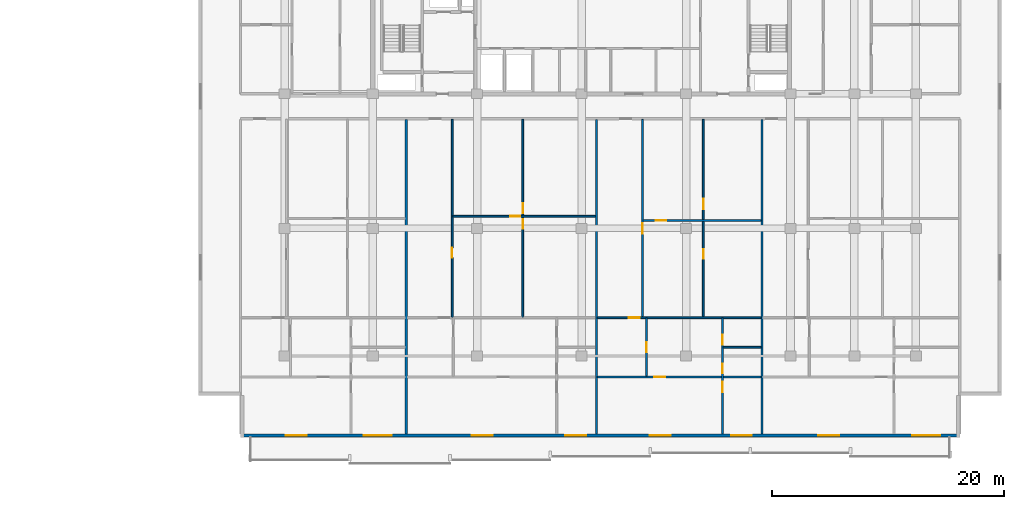
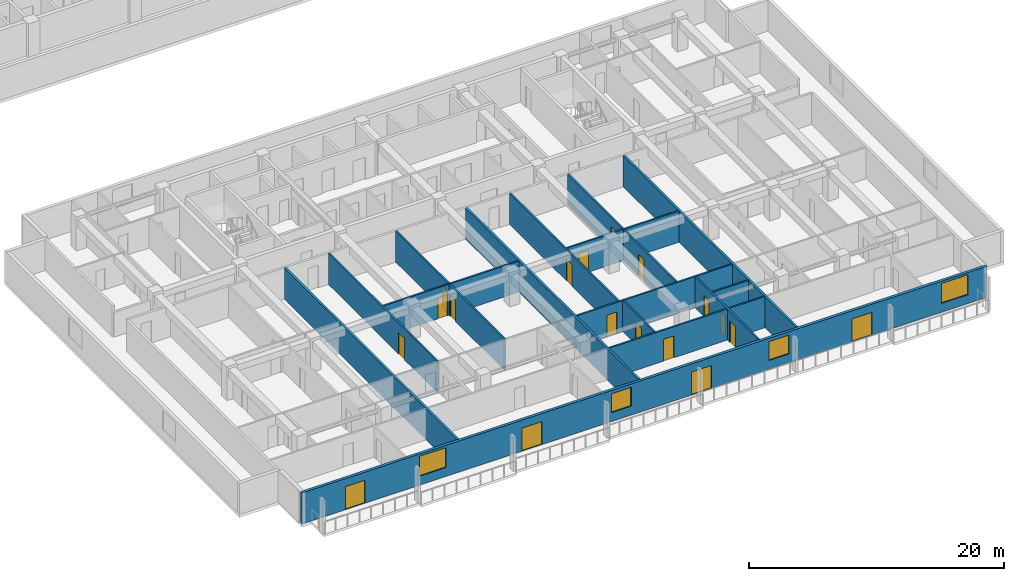
# One storey, part 5 of 23: 18 doors, 15 walls, 4 windows, 22 openings.
"""IFC4 building model written with IfcOpenShell, lengths in metres."""

import ifcopenshell
import ifcopenshell.guid

model = None  # the IFC model being written
_history = None  # IfcOwnerHistory: only IFC2X3 demands one
_inside = {}  # id of a spatial element -> (the spatial element, [elements in it])
_under = {}  # id of a project, library or spatial element -> (it, [spatial elements below it])
_declared = {}  # id of a project -> (the project, [libraries it declares])
_typed = {}  # id of a type object -> (the type object, [elements of that type])
_made_of = {}  # id of a material, layer set ... -> (it, [elements and type objects made of it])


def new_model(schema):
    """Start an empty IFC model of exactly this schema.

    Asked for "IFC4X3", IfcOpenShell would pick the latest addendum, in which some entities
    have other attributes; the version numbers below select the first issue.
    IFC2X3 requires an IfcOwnerHistory on every rooted entity: one is made here for all.
    """
    global model, _history
    if schema == "IFC4X3":
        model = ifcopenshell.file(schema_version=(4, 3, 0, 0))
    else:
        model = ifcopenshell.file(schema=schema)
    _inside.clear()
    _under.clear()
    _declared.clear()
    _typed.clear()
    _made_of.clear()
    _history = None
    if model.schema == "IFC2X3":
        org = make("IfcOrganization", Name="unknown")
        user = make(
            "IfcPersonAndOrganization",
            ThePerson=make("IfcPerson", FamilyName="unknown"),
            TheOrganization=org,
        )
        app = make(
            "IfcApplication",
            ApplicationDeveloper=org,
            Version="unknown",
            ApplicationFullName="unknown",
            ApplicationIdentifier="unknown",
        )
        _history = make(
            "IfcOwnerHistory",
            OwningUser=user,
            OwningApplication=app,
            ChangeAction="ADDED",
            CreationDate=0,
        )
    return model


def make(cls, **values):
    """One entity of the class cls with the attributes given. An attribute that is None is left unset."""
    return model.create_entity(
        cls, **{name: value for name, value in values.items() if value is not None}
    )


def rooted(cls, **values):
    """An entity with a GlobalId (a new one), such as an element, a storey or a relation."""
    return make(cls, GlobalId=ifcopenshell.guid.new(), OwnerHistory=_history, **values)


def si_unit(unit_type, name, prefix=None):
    """IfcSIUnit, for example si_unit("LENGTHUNIT", "METRE", prefix="MILLI")."""
    return make("IfcSIUnit", UnitType=unit_type, Prefix=prefix, Name=name)


def assignment(units):
    """IfcUnitAssignment: the units of a project."""
    return None if units is None else make("IfcUnitAssignment", Units=units)


def point(xyz):
    """IfcCartesianPoint."""
    return None if xyz is None else make("IfcCartesianPoint", Coordinates=xyz)


def direction(xyz):
    """IfcDirection."""
    return None if xyz is None else make("IfcDirection", DirectionRatios=xyz)


def frame(location, z_axis=None, x_axis=None):
    """IfcAxis2Placement3D, a coordinate frame: its origin and axes. An axis left out is left unset."""
    return make(
        "IfcAxis2Placement3D",
        Location=point(location),
        Axis=direction(z_axis),
        RefDirection=direction(x_axis),
    )


def frame_2d(location, x_axis=None):
    """IfcAxis2Placement2D, a coordinate frame in the plane: its origin and x axis."""
    return make(
        "IfcAxis2Placement2D", Location=point(location), RefDirection=direction(x_axis)
    )


def origin():
    """The frame at (0, 0, 0) with its axes left unset."""
    return frame((0.0, 0.0, 0.0))


def place(relative_to, where):
    """IfcLocalPlacement: puts the frame where relative to a parent placement (None: the world)."""
    return make(
        "IfcLocalPlacement", PlacementRelTo=relative_to, RelativePlacement=where
    )


def context(
    kind, dimensions, precision=None, world=None, true_north=None, identifier=None
):
    """IfcGeometricRepresentationContext, for example the 3D "Model" context."""
    return make(
        "IfcGeometricRepresentationContext",
        ContextIdentifier=identifier,
        ContextType=kind,
        CoordinateSpaceDimension=dimensions,
        Precision=precision,
        WorldCoordinateSystem=world,
        TrueNorth=true_north,
    )


def subcontext(parent, identifier, kind, view, scale=None):
    """IfcGeometricRepresentationSubContext, for example "Body" below "Model"."""
    return make(
        "IfcGeometricRepresentationSubContext",
        ContextIdentifier=identifier,
        ContextType=kind,
        ParentContext=parent,
        TargetScale=scale,
        TargetView=view,
    )


def project(units=None, contexts=None):
    """IfcProject with its units and contexts."""
    return rooted(
        "IfcProject",
        Name="project",
        RepresentationContexts=contexts,
        UnitsInContext=assignment(units),
    )


def spatial(cls, under=None, at=None, **own):
    """A site, building, storey or space (cls), placed at a placement, below another one or the project."""
    s = rooted(cls, ObjectPlacement=at, **own)
    if under is not None:
        _under.setdefault(under.id(), (under, []))[1].append(s)
    return s


def profile(cls, at=None, kind="AREA", **sizes):
    """A parametric profile (cls). Its sizes go by their IFC names, for example OverallWidth=200.0."""
    return make(cls, ProfileType=kind, Position=at, **sizes)


def rectangle(**sizes):
    """IfcRectangleProfileDef."""
    return profile("IfcRectangleProfileDef", **sizes)


def extrude(swept, where, along, depth):
    """IfcExtrudedAreaSolid: the profile swept, set in the frame where, extruded along a direction by depth."""
    return make(
        "IfcExtrudedAreaSolid",
        SweptArea=swept,
        Position=where,
        ExtrudedDirection=direction(along),
        Depth=depth,
    )


def shape(context_of_items, identifier, shape_type, items):
    """IfcShapeRepresentation: the items that make up one representation, for example the "Body"."""
    return make(
        "IfcShapeRepresentation",
        ContextOfItems=context_of_items,
        RepresentationIdentifier=identifier,
        RepresentationType=shape_type,
        Items=items,
    )


def material(Name=None, Category=None):
    """IfcMaterial."""
    return make("IfcMaterial", Name=Name, Category=Category)


def layer(
    of_material, thickness, ventilated=None, Name=None, Category=None, Priority=None
):
    """IfcMaterialLayer: one layer of a wall or slab, of a material (None: an air gap)."""
    return make(
        "IfcMaterialLayer",
        Material=of_material,
        LayerThickness=thickness,
        IsVentilated=ventilated,
        Name=Name,
        Category=Category,
        Priority=Priority,
    )


def layer_set(layers, Name=None):
    """IfcMaterialLayerSet."""
    return make("IfcMaterialLayerSet", MaterialLayers=layers, LayerSetName=Name)


def made_of(thing, what):
    """Note that an element or type object is made of a material, layer set ...; save() writes the relation."""
    if what is not None:
        _made_of.setdefault(what.id(), (what, []))[1].append(thing)
    return thing


def type_object(cls, material=None, **own):
    """A type object (cls), such as IfcWallType, which elements share."""
    return made_of(rooted(cls, **own), material)


def element(
    cls,
    number,
    at=None,
    inside=None,
    cuts=None,
    type_object=None,
    material=None,
    context=None,
    identifier="Body",
    shape_type=None,
    held_by="IfcProductDefinitionShape",
    body=None,
    shapes=None,
    **own,
):
    """One element of the class cls, such as IfcWall. Its Tag is "e" and its number.

    at: its placement. inside: the storey or other place that contains it. cuts: it is an
    opening in that element (IfcRelVoidsElement). A single representation is given by context,
    identifier, shape_type and body (its items); several are given by shapes. held_by: the class
    of the entity that holds the representations. save() writes the other relations.
    """
    e = rooted(cls, Tag="e%d" % number, ObjectPlacement=at, **own)
    if body is not None:
        shapes = [shape(context, identifier, shape_type, body)]
    if shapes is not None:
        e.Representation = make(held_by, Representations=shapes)
    if inside is not None:
        _inside.setdefault(inside.id(), (inside, []))[1].append(e)
    if cuts is not None:
        rooted(
            "IfcRelVoidsElement", RelatingBuildingElement=cuts, RelatedOpeningElement=e
        )
    if type_object is not None:
        _typed.setdefault(type_object.id(), (type_object, []))[1].append(e)
    return made_of(e, material)


def fill(opening, filler):
    """IfcRelFillsElement: the door or window that sits in an opening."""
    return rooted(
        "IfcRelFillsElement",
        RelatingOpeningElement=opening,
        RelatedBuildingElement=filler,
    )


def aggregate(whole, parts):
    """IfcRelAggregates: a whole, such as a stair, and the parts it consists of."""
    return rooted("IfcRelAggregates", RelatingObject=whole, RelatedObjects=parts)


def save(model, path):
    """Write the relations noted so far, then the file.

    IfcRelAggregates (storeys below a building ...), IfcRelContainedInSpatialStructure (elements
    in a storey), IfcRelDefinesByType, IfcRelAssociatesMaterial and IfcRelDeclares: one each for
    every whole, place, type object, material and project.
    """
    for whole, parts in _under.values():
        aggregate(whole, parts)
    for where, things in _inside.values():
        rooted(
            "IfcRelContainedInSpatialStructure",
            RelatedElements=things,
            RelatingStructure=where,
        )
    for kind, things in _typed.values():
        rooted("IfcRelDefinesByType", RelatedObjects=things, RelatingType=kind)
    for what, things in _made_of.values():
        rooted("IfcRelAssociatesMaterial", RelatedObjects=things, RelatingMaterial=what)
    for by, libraries in _declared.values():
        rooted("IfcRelDeclares", RelatingContext=by, RelatedDefinitions=libraries)
    model.write(path)


model = new_model("IFC4")

# Units and contexts
model_context = context("Model", 3, precision=1e-05, world=origin(), true_north=direction((0.0, 1.0)))
body_context = subcontext(model_context, "Body", "Model", "MODEL_VIEW")
ifc_project = project(units=[si_unit("LENGTHUNIT", "METRE"), si_unit("AREAUNIT", "SQUARE_METRE"), si_unit("VOLUMEUNIT", "CUBIC_METRE"), si_unit("PLANEANGLEUNIT", "RADIAN"), si_unit("MASSUNIT", "GRAM", prefix="KILO")], contexts=[model_context])

# Site, building, storey
site_placement = place(None, origin())
site = spatial("IfcSite", under=ifc_project, at=site_placement, CompositionType="ELEMENT")
building_placement = place(site_placement, origin())
building = spatial("IfcBuilding", under=site, at=building_placement, Name="Korimba Cascade Residences", CompositionType="ELEMENT")
storey_placement = place(building_placement, frame((0.0, 0.0, 37.0)))
storey = spatial("IfcBuildingStorey", under=building, at=storey_placement, Name="L09", CompositionType="ELEMENT", Elevation=37.0)

# Wall, openings, doors, windows
ifc_material_1 = material(Name="Precast concrete C40/50", Category="concrete")
ifc_layer_1 = layer(ifc_material_1, 0.25)
ifc_layer_set_1 = layer_set([ifc_layer_1], Name="Precast concrete C40/50")
wall_type_1 = type_object("IfcWallType", Name="EW-LOG-250", PredefinedType="STANDARD", material=ifc_layer_set_1)
wall_1_placement = place(storey_placement, frame((70.699951171875, -11.050048828125, 0.0), z_axis=(0.0, 0.0, 1.0), x_axis=(1.0, 0.0, 0.0)))
wall_1 = element("IfcWall", 1, at=wall_1_placement, inside=storey, type_object=wall_type_1, Name="L09 T2 Perimeter Stone Wall E00", PredefinedType="STANDARD", context=body_context, shape_type="SweptSolid", body=[
    extrude(rectangle(XDim=62.0, YDim=0.25, at=frame_2d((31.0, 0.0))), origin(), (0.0, 0.0, 1.0), 2.969970703125),
])
opening_1_placement = place(wall_1_placement, frame((3.919921875, 0.0, 0.0)))
opening_1 = element("IfcOpeningElement", 2, at=opening_1_placement, cuts=wall_1, Name="Opening D-LG1", PredefinedType="OPENING", context=body_context, shape_type="SweptSolid", body=[
    extrude(rectangle(XDim=1.800048828125, YDim=2.199951171875, at=frame_2d((0.89990234375, 1.10009765625))), frame((0.0, 0.135009765625, 0.0), z_axis=(0.0, -1.0, 0.0), x_axis=(1.0, 0.0, 0.0)), (0.0, 0.0, 1.0), 0.27001953125),
])
opening_2_placement = place(wall_1_placement, frame((10.637939453125, 0.0, 0.85009765625)))
opening_2 = element("IfcOpeningElement", 3, at=opening_2_placement, cuts=wall_1, Name="Opening W-01", PredefinedType="OPENING", context=body_context, shape_type="SweptSolid", body=[
    extrude(rectangle(XDim=2.39990234375, YDim=1.89990234375, at=frame_2d((1.199951171875, 0.949951171875))), frame((0.0, 0.135009765625, 0.0), z_axis=(0.0, -1.0, 0.0), x_axis=(1.0, 0.0, 0.0)), (0.0, 0.0, 1.0), 0.27001953125),
])
opening_3_placement = place(wall_1_placement, frame((19.925537109375, 0.0, 0.0)))
opening_3 = element("IfcOpeningElement", 4, at=opening_3_placement, cuts=wall_1, Name="Opening D-LG1", PredefinedType="OPENING", context=body_context, shape_type="SweptSolid", body=[
    extrude(rectangle(XDim=1.800048828125, YDim=2.199951171875, at=frame_2d((0.89990234375, 1.10009765625))), frame((0.0, 0.135009765625, 0.0), z_axis=(0.0, -1.0, 0.0), x_axis=(1.0, 0.0, 0.0)), (0.0, 0.0, 1.0), 0.27001953125),
])
opening_4_placement = place(wall_1_placement, frame((28.0048828125, 0.0, 0.85009765625)))
opening_4 = element("IfcOpeningElement", 5, at=opening_4_placement, cuts=wall_1, Name="Opening W-02", PredefinedType="OPENING", context=body_context, shape_type="SweptSolid", body=[
    extrude(rectangle(XDim=1.800048828125, YDim=1.800048828125, at=frame_2d((0.89990234375, 0.89990234375))), frame((0.0, 0.135009765625, 0.0), z_axis=(0.0, -1.0, 0.0), x_axis=(1.0, 0.0, 0.0)), (0.0, 0.0, 1.0), 0.27001953125),
])
opening_5_placement = place(wall_1_placement, frame((35.262939453125, 0.0, 0.0)))
opening_5 = element("IfcOpeningElement", 6, at=opening_5_placement, cuts=wall_1, Name="Opening D-LG1", PredefinedType="OPENING", context=body_context, shape_type="SweptSolid", body=[
    extrude(rectangle(XDim=1.800048828125, YDim=2.199951171875, at=frame_2d((0.89990234375, 1.10009765625))), frame((0.0, 0.135009765625, 0.0), z_axis=(0.0, -1.0, 0.0), x_axis=(1.0, 0.0, 0.0)), (0.0, 0.0, 1.0), 0.27001953125),
])
opening_6_placement = place(wall_1_placement, frame((42.281005859375, 0.0, 0.85009765625)))
opening_6 = element("IfcOpeningElement", 7, at=opening_6_placement, cuts=wall_1, Name="Opening W-02", PredefinedType="OPENING", context=body_context, shape_type="SweptSolid", body=[
    extrude(rectangle(XDim=1.800048828125, YDim=1.800048828125, at=frame_2d((0.89990234375, 0.89990234375))), frame((0.0, 0.135009765625, 0.0), z_axis=(0.0, -1.0, 0.0), x_axis=(1.0, 0.0, 0.0)), (0.0, 0.0, 1.0), 0.27001953125),
])
opening_7_placement = place(wall_1_placement, frame((49.79541015625, 0.0, 0.0)))
opening_7 = element("IfcOpeningElement", 8, at=opening_7_placement, cuts=wall_1, Name="Opening D-LG1", PredefinedType="OPENING", context=body_context, shape_type="SweptSolid", body=[
    extrude(rectangle(XDim=1.800048828125, YDim=2.199951171875, at=frame_2d((0.89990234375, 1.10009765625))), frame((0.0, 0.135009765625, 0.0), z_axis=(0.0, -1.0, 0.0), x_axis=(1.0, 0.0, 0.0)), (0.0, 0.0, 1.0), 0.27001953125),
])
opening_8_placement = place(wall_1_placement, frame((57.89990234375, 0.0, 0.85009765625)))
opening_8 = element("IfcOpeningElement", 9, at=opening_8_placement, cuts=wall_1, Name="Opening W-01", PredefinedType="OPENING", context=body_context, shape_type="SweptSolid", body=[
    extrude(rectangle(XDim=2.39990234375, YDim=1.89990234375, at=frame_2d((1.199951171875, 0.949951171875))), frame((0.0, 0.135009765625, 0.0), z_axis=(0.0, -1.0, 0.0), x_axis=(1.0, 0.0, 0.0)), (0.0, 0.0, 1.0), 0.27001953125),
])
ifc_material_2 = material(Name="Glazed Aluminium Loggia Sliding Door", Category="aluminium")
door_type_1 = type_object("IfcDoorType", Name="DR-EXT-LOG", OperationType="NOTDEFINED", PredefinedType="DOOR", material=ifc_material_2)
door_1_placement = place(opening_1_placement, origin())
door_1 = element("IfcDoor", 10, at=door_1_placement, inside=storey, type_object=door_type_1, Name="L09 T2 Loggia Sliding Door 3", OperationType="SLIDING_TO_RIGHT", OverallHeight=2.199951171875, OverallWidth=1.800048828125, PredefinedType="DOOR", context=body_context, shape_type="SweptSolid", body=[
    extrude(rectangle(XDim=1.800048828125, YDim=2.199951171875, at=frame_2d((0.89990234375, 1.10009765625))), frame((0.0, 0.02490234375, 0.0), z_axis=(0.0, -1.0, 0.0), x_axis=(1.0, 0.0, 0.0)), (0.0, 0.0, 1.0), 0.050048828125),
])
fill(opening_1, door_1)
door_2_placement = place(opening_3_placement, origin())
door_2 = element("IfcDoor", 11, at=door_2_placement, inside=storey, type_object=door_type_1, Name="L09 T2 Loggia Sliding Door 5", OperationType="SLIDING_TO_RIGHT", OverallHeight=2.199951171875, OverallWidth=1.800048828125, PredefinedType="DOOR", context=body_context, shape_type="SweptSolid", body=[
    extrude(rectangle(XDim=1.800048828125, YDim=2.199951171875, at=frame_2d((0.89990234375, 1.10009765625))), frame((0.0, 0.02490234375, 0.0), z_axis=(0.0, -1.0, 0.0), x_axis=(1.0, 0.0, 0.0)), (0.0, 0.0, 1.0), 0.050048828125),
])
fill(opening_3, door_2)
door_3_placement = place(opening_5_placement, origin())
door_3 = element("IfcDoor", 12, at=door_3_placement, inside=storey, type_object=door_type_1, Name="L09 T2 Loggia Sliding Door 7", OperationType="SLIDING_TO_RIGHT", OverallHeight=2.199951171875, OverallWidth=1.800048828125, PredefinedType="DOOR", context=body_context, shape_type="SweptSolid", body=[
    extrude(rectangle(XDim=1.800048828125, YDim=2.199951171875, at=frame_2d((0.89990234375, 1.10009765625))), frame((0.0, 0.02490234375, 0.0), z_axis=(0.0, -1.0, 0.0), x_axis=(1.0, 0.0, 0.0)), (0.0, 0.0, 1.0), 0.050048828125),
])
fill(opening_5, door_3)
door_4_placement = place(opening_7_placement, origin())
door_4 = element("IfcDoor", 13, at=door_4_placement, inside=storey, type_object=door_type_1, Name="L09 T2 Loggia Sliding Door 9", OperationType="SLIDING_TO_RIGHT", OverallHeight=2.199951171875, OverallWidth=1.800048828125, PredefinedType="DOOR", context=body_context, shape_type="SweptSolid", body=[
    extrude(rectangle(XDim=1.800048828125, YDim=2.199951171875, at=frame_2d((0.89990234375, 1.10009765625))), frame((0.0, 0.02490234375, 0.0), z_axis=(0.0, -1.0, 0.0), x_axis=(1.0, 0.0, 0.0)), (0.0, 0.0, 1.0), 0.050048828125),
])
fill(opening_7, door_4)
ifc_material_3 = material(Name="Double-Glazed Aluminium Window", Category="aluminium")
window_type_1 = type_object("IfcWindowType", Name="WIN-BED-1800", PartitioningType="SINGLE_PANEL", PredefinedType="WINDOW", material=ifc_material_3)
window_1_placement = place(opening_4_placement, origin())
window_1 = element("IfcWindow", 14, at=window_1_placement, inside=storey, type_object=window_type_1, Name="L09 T2 South Facade Window 6", OverallHeight=1.800048828125, OverallWidth=1.800048828125, PartitioningType="SINGLE_PANEL", PredefinedType="WINDOW", context=body_context, shape_type="SweptSolid", body=[
    extrude(rectangle(XDim=1.800048828125, YDim=1.800048828125, at=frame_2d((0.89990234375, 0.89990234375))), frame((0.0, 0.030029296875, 0.0), z_axis=(0.0, -1.0, 0.0), x_axis=(1.0, 0.0, 0.0)), (0.0, 0.0, 1.0), 0.06005859375),
])
fill(opening_4, window_1)
window_2_placement = place(opening_6_placement, origin())
window_2 = element("IfcWindow", 15, at=window_2_placement, inside=storey, type_object=window_type_1, Name="L09 T2 South Facade Window 8", OverallHeight=1.800048828125, OverallWidth=1.800048828125, PartitioningType="SINGLE_PANEL", PredefinedType="WINDOW", context=body_context, shape_type="SweptSolid", body=[
    extrude(rectangle(XDim=1.800048828125, YDim=1.800048828125, at=frame_2d((0.89990234375, 0.89990234375))), frame((0.0, 0.030029296875, 0.0), z_axis=(0.0, -1.0, 0.0), x_axis=(1.0, 0.0, 0.0)), (0.0, 0.0, 1.0), 0.06005859375),
])
fill(opening_6, window_2)
window_type_2 = type_object("IfcWindowType", Name="WIN-RES-2400", PartitioningType="DOUBLE_PANEL_VERTICAL", PredefinedType="WINDOW", material=ifc_material_3)
window_3_placement = place(opening_2_placement, origin())
window_3 = element("IfcWindow", 16, at=window_3_placement, inside=storey, type_object=window_type_2, Name="L09 T2 South Facade Window 4", OverallHeight=1.89990234375, OverallWidth=2.39990234375, PartitioningType="DOUBLE_PANEL_VERTICAL", PredefinedType="WINDOW", context=body_context, shape_type="SweptSolid", body=[
    extrude(rectangle(XDim=2.39990234375, YDim=1.89990234375, at=frame_2d((1.199951171875, 0.949951171875))), frame((0.0, 0.030029296875, 0.0), z_axis=(0.0, -1.0, 0.0), x_axis=(1.0, 0.0, 0.0)), (0.0, 0.0, 1.0), 0.06005859375),
])
fill(opening_2, window_3)
window_4_placement = place(opening_8_placement, origin())
window_4 = element("IfcWindow", 17, at=window_4_placement, inside=storey, type_object=window_type_2, Name="L09 T2 South Facade Window 10", OverallHeight=1.89990234375, OverallWidth=2.39990234375, PartitioningType="DOUBLE_PANEL_VERTICAL", PredefinedType="WINDOW", context=body_context, shape_type="SweptSolid", body=[
    extrude(rectangle(XDim=2.39990234375, YDim=1.89990234375, at=frame_2d((1.199951171875, 0.949951171875))), frame((0.0, 0.030029296875, 0.0), z_axis=(0.0, -1.0, 0.0), x_axis=(1.0, 0.0, 0.0)), (0.0, 0.0, 1.0), 0.06005859375),
])
fill(opening_8, window_4)

# Walls
ifc_layer_2 = layer(ifc_material_1, 0.199951171875)
ifc_layer_set_2 = layer_set([ifc_layer_2], Name="Precast concrete C40/50")
wall_type_2 = type_object("IfcWallType", Name="WAL-IT-200", PredefinedType="PARTITIONING", material=ifc_layer_set_2)
for number, where, z_axis, x_axis, name in (
    (18, (84.975830078125, -10.89990234375, 0.0), (0.0, 0.0, 1.0), (0.0, 1.0, 0.0), "L09 Partition Wall WAL-L09-T2-DEM-1"),
    (19, (101.375, -10.89990234375, 0.0), (0.0, 0.0, 1.0), (0.0, 1.0, 0.0), "L09 Partition Wall WAL-L09-T2-DEM-2"),
    (20, (115.65087890625, -10.89990234375, 0.0), (0.0, 0.0, 1.0), (0.0, 1.0, 0.0), "L09 Partition Wall WAL-L09-T2-DEM-3"),
):
    element("IfcWall", number, at=place(storey_placement, frame(where, z_axis=z_axis, x_axis=x_axis)), inside=storey, type_object=wall_type_2, Name=name, PredefinedType="PARTITIONING", context=body_context, shape_type="SweptSolid", body=[
        extrude(rectangle(XDim=27.06982421875, YDim=0.199951171875, at=frame_2d((13.534912109375, 0.0))), origin(), (0.0, 0.0, 1.0), 2.969970703125),
    ])

# Wall, openings, doors
ifc_material_4 = material(Name="Insulated Acoustic Stud Partition", Category="gypsum")
ifc_layer_3 = layer(ifc_material_4, 0.14990234375)
ifc_layer_set_3 = layer_set([ifc_layer_3], Name="Insulated Acoustic Stud Partition")
wall_type_3 = type_object("IfcWallType", Name="WAL-PART-150", PredefinedType="PARTITIONING", material=ifc_layer_set_3)
wall_2_placement = place(storey_placement, frame((95.030517578125, -0.860107421875, 0.0), z_axis=(0.0, 0.0, 1.0), x_axis=(0.0, 1.0, 0.0)))
wall_2 = element("IfcWall", 21, at=wall_2_placement, inside=storey, type_object=wall_type_3, Name="L09 Partition Wall WAL-L09-T2-U02-FMV", PredefinedType="PARTITIONING", context=body_context, shape_type="SweptSolid", body=[
    extrude(rectangle(XDim=17.050048828125, YDim=0.14990234375, at=frame_2d((8.52490234375, 0.0))), origin(), (0.0, 0.0, 1.0), 2.969970703125),
])
opening_9_placement = place(wall_2_placement, frame((7.614990234375, 0.0, 0.0)))
opening_9 = element("IfcOpeningElement", 22, at=opening_9_placement, cuts=wall_2, Name="Opening D-BT1", PredefinedType="OPENING", context=body_context, shape_type="SweptSolid", body=[
    extrude(rectangle(XDim=0.840087890625, YDim=2.0400390625, at=frame_2d((0.419921875, 1.02001953125))), frame((0.0, 0.0849609375, 0.0), z_axis=(0.0, -1.0, 0.0), x_axis=(1.0, 0.0, 0.0)), (0.0, 0.0, 1.0), 0.169921875),
])
opening_10_placement = place(wall_2_placement, frame((8.955078125, 0.0, 0.0)))
opening_10 = element("IfcOpeningElement", 23, at=opening_10_placement, cuts=wall_2, Name="Opening D-IN2", PredefinedType="OPENING", context=body_context, shape_type="SweptSolid", body=[
    extrude(rectangle(XDim=0.8798828125, YDim=2.06005859375, at=frame_2d((0.43994140625, 1.030029296875))), frame((0.0, 0.0849609375, 0.0), z_axis=(0.0, -1.0, 0.0), x_axis=(1.0, 0.0, 0.0)), (0.0, 0.0, 1.0), 0.169921875),
])
ifc_material_5 = material(Name="Moisture-Resistant Bathroom Timber Door", Category="wood")
door_type_2 = type_object("IfcDoorType", Name="DR-INT-850", OperationType="NOTDEFINED", PredefinedType="DOOR", material=ifc_material_5)
door_5_placement = place(opening_9_placement, origin())
door_5 = element("IfcDoor", 24, at=door_5_placement, inside=storey, type_object=door_type_2, Name="L09-T2-U02 Wardrobe Door", OperationType="SINGLE_SWING_LEFT", OverallHeight=2.0400390625, OverallWidth=0.840087890625, PredefinedType="DOOR", context=body_context, shape_type="SweptSolid", body=[
    extrude(rectangle(XDim=0.840087890625, YDim=2.0400390625, at=frame_2d((0.419921875, 1.02001953125))), frame((0.0, 0.02490234375, 0.0), z_axis=(0.0, -1.0, 0.0), x_axis=(1.0, 0.0, 0.0)), (0.0, 0.0, 1.0), 0.050048828125),
])
fill(opening_9, door_5)
ifc_material_6 = material(Name="Acoustic Timber Bedroom Door", Category="wood")
door_type_3 = type_object("IfcDoorType", Name="DR-INT-880", OperationType="NOTDEFINED", PredefinedType="DOOR", material=ifc_material_6)
door_6_placement = place(opening_10_placement, origin())
door_6 = element("IfcDoor", 25, at=door_6_placement, inside=storey, type_object=door_type_3, Name="L09-T2-U02 Music Lounge Door", OperationType="SINGLE_SWING_RIGHT", OverallHeight=2.06005859375, OverallWidth=0.8798828125, PredefinedType="DOOR", context=body_context, shape_type="SweptSolid", body=[
    extrude(rectangle(XDim=0.8798828125, YDim=2.06005859375, at=frame_2d((0.43994140625, 1.030029296875))), frame((0.0, 0.02490234375, 0.0), z_axis=(0.0, -1.0, 0.0), x_axis=(1.0, 0.0, 0.0)), (0.0, 0.0, 1.0), 0.050048828125),
])
fill(opening_10, door_6)

# Wall, opening, door
wall_3_placement = place(storey_placement, frame((89.005859375, 7.844970703125, 0.0), z_axis=(0.0, 0.0, 1.0), x_axis=(1.0, 0.0, 0.0)))
wall_3 = element("IfcWall", 26, at=wall_3_placement, inside=storey, type_object=wall_type_3, Name="L09 Partition Wall WAL-L09-T2-U02-FMH", PredefinedType="PARTITIONING", context=body_context, shape_type="SweptSolid", body=[
    extrude(rectangle(XDim=12.2890625, YDim=0.14990234375, at=frame_2d((6.14453125, 0.0))), origin(), (0.0, 0.0, 1.0), 2.969970703125),
])
opening_11_placement = place(wall_3_placement, frame((4.924560546875, 0.0, 0.0)))
opening_11 = element("IfcOpeningElement", 27, at=opening_11_placement, cuts=wall_3, Name="Opening D-IN2", PredefinedType="OPENING", context=body_context, shape_type="SweptSolid", body=[
    extrude(rectangle(XDim=0.8798828125, YDim=2.06005859375, at=frame_2d((0.43994140625, 1.030029296875))), frame((0.0, 0.0849609375, 0.0), z_axis=(0.0, -1.0, 0.0), x_axis=(1.0, 0.0, 0.0)), (0.0, 0.0, 1.0), 0.169921875),
])
door_7_placement = place(opening_11_placement, origin())
door_7 = element("IfcDoor", 28, at=door_7_placement, inside=storey, type_object=door_type_3, Name="L09-T2-U02 Library Salon Door", OperationType="SINGLE_SWING_LEFT", OverallHeight=2.06005859375, OverallWidth=0.8798828125, PredefinedType="DOOR", context=body_context, shape_type="SweptSolid", body=[
    extrude(rectangle(XDim=0.8798828125, YDim=2.06005859375, at=frame_2d((0.43994140625, 1.030029296875))), frame((0.0, 0.02490234375, 0.0), z_axis=(0.0, -1.0, 0.0), x_axis=(1.0, 0.0, 0.0)), (0.0, 0.0, 1.0), 0.050048828125),
])
fill(opening_11, door_7)

wall_4_placement = place(storey_placement, frame((88.94580078125, -0.860107421875, 0.0), z_axis=(0.0, 0.0, 1.0), x_axis=(0.0, 1.0, 0.0)))
wall_4 = element("IfcWall", 29, at=wall_4_placement, inside=storey, type_object=wall_type_3, Name="L09 Partition Wall WAL-L09-T2-U02-FV", PredefinedType="PARTITIONING", context=body_context, shape_type="SweptSolid", body=[
    extrude(rectangle(XDim=17.050048828125, YDim=0.14990234375, at=frame_2d((8.52490234375, 0.0))), origin(), (0.0, 0.0, 1.0), 2.969970703125),
])
opening_12_placement = place(wall_4_placement, frame((5.118408203125, 0.0, 0.0)))
opening_12 = element("IfcOpeningElement", 30, at=opening_12_placement, cuts=wall_4, Name="Opening D-IN2", PredefinedType="OPENING", context=body_context, shape_type="SweptSolid", body=[
    extrude(rectangle(XDim=0.8798828125, YDim=2.06005859375, at=frame_2d((0.43994140625, 1.030029296875))), frame((0.0, 0.0849609375, 0.0), z_axis=(0.0, -1.0, 0.0), x_axis=(1.0, 0.0, 0.0)), (0.0, 0.0, 1.0), 0.169921875),
])
door_8_placement = place(opening_12_placement, origin())
door_8 = element("IfcDoor", 31, at=door_8_placement, inside=storey, type_object=door_type_3, Name="L09-T2-U02 Media Lounge Door", OperationType="SINGLE_SWING_RIGHT", OverallHeight=2.06005859375, OverallWidth=0.8798828125, PredefinedType="DOOR", context=body_context, shape_type="SweptSolid", body=[
    extrude(rectangle(XDim=0.8798828125, YDim=2.06005859375, at=frame_2d((0.43994140625, 1.030029296875))), frame((0.0, 0.02490234375, 0.0), z_axis=(0.0, -1.0, 0.0), x_axis=(1.0, 0.0, 0.0)), (0.0, 0.0, 1.0), 0.050048828125),
])
fill(opening_12, door_8)

# Wall, openings, doors
wall_5_placement = place(storey_placement, frame((110.587890625, -0.860107421875, 0.0), z_axis=(0.0, 0.0, 1.0), x_axis=(0.0, 1.0, 0.0)))
wall_5 = element("IfcWall", 32, at=wall_5_placement, inside=storey, type_object=wall_type_3, Name="L09 Partition Wall WAL-L09-T2-U03-FMV", PredefinedType="PARTITIONING", context=body_context, shape_type="SweptSolid", body=[
    extrude(rectangle(XDim=17.050048828125, YDim=0.14990234375, at=frame_2d((8.52490234375, 0.0))), origin(), (0.0, 0.0, 1.0), 2.969970703125),
])
opening_13_placement = place(wall_5_placement, frame((5.04541015625, 0.0, 0.0)))
opening_13 = element("IfcOpeningElement", 33, at=opening_13_placement, cuts=wall_5, Name="Opening D-BT1", PredefinedType="OPENING", context=body_context, shape_type="SweptSolid", body=[
    extrude(rectangle(XDim=0.840087890625, YDim=2.0400390625, at=frame_2d((0.419921875, 1.02001953125))), frame((0.0, 0.0849609375, 0.0), z_axis=(0.0, -1.0, 0.0), x_axis=(1.0, 0.0, 0.0)), (0.0, 0.0, 1.0), 0.169921875),
])
opening_14_placement = place(wall_5_placement, frame((9.3173828125, 0.0, 0.0)))
opening_14 = element("IfcOpeningElement", 34, at=opening_14_placement, cuts=wall_5, Name="Opening D-IN2", PredefinedType="OPENING", context=body_context, shape_type="SweptSolid", body=[
    extrude(rectangle(XDim=0.8798828125, YDim=2.06005859375, at=frame_2d((0.43994140625, 1.030029296875))), frame((0.0, 0.0849609375, 0.0), z_axis=(0.0, -1.0, 0.0), x_axis=(1.0, 0.0, 0.0)), (0.0, 0.0, 1.0), 0.169921875),
])
door_9_placement = place(opening_13_placement, origin())
door_9 = element("IfcDoor", 35, at=door_9_placement, inside=storey, type_object=door_type_2, Name="L09-T2-U03 Wardrobe Door", OperationType="SINGLE_SWING_LEFT", OverallHeight=2.0400390625, OverallWidth=0.840087890625, PredefinedType="DOOR", context=body_context, shape_type="SweptSolid", body=[
    extrude(rectangle(XDim=0.840087890625, YDim=2.0400390625, at=frame_2d((0.419921875, 1.02001953125))), frame((0.0, 0.02490234375, 0.0), z_axis=(0.0, -1.0, 0.0), x_axis=(1.0, 0.0, 0.0)), (0.0, 0.0, 1.0), 0.050048828125),
])
fill(opening_13, door_9)
door_10_placement = place(opening_14_placement, origin())
door_10 = element("IfcDoor", 36, at=door_10_placement, inside=storey, type_object=door_type_3, Name="L09-T2-U03 Music Lounge Door", OperationType="SINGLE_SWING_RIGHT", OverallHeight=2.06005859375, OverallWidth=0.8798828125, PredefinedType="DOOR", context=body_context, shape_type="SweptSolid", body=[
    extrude(rectangle(XDim=0.8798828125, YDim=2.06005859375, at=frame_2d((0.43994140625, 1.030029296875))), frame((0.0, 0.02490234375, 0.0), z_axis=(0.0, -1.0, 0.0), x_axis=(1.0, 0.0, 0.0)), (0.0, 0.0, 1.0), 0.050048828125),
])
fill(opening_14, door_10)

# Wall, opening, door
wall_6_placement = place(storey_placement, frame((105.405029296875, 7.485107421875, 0.0), z_axis=(0.0, 0.0, 1.0), x_axis=(1.0, 0.0, 0.0)))
wall_6 = element("IfcWall", 37, at=wall_6_placement, inside=storey, type_object=wall_type_3, Name="L09 Partition Wall WAL-L09-T2-U03-FMH", PredefinedType="PARTITIONING", context=body_context, shape_type="SweptSolid", body=[
    extrude(rectangle(XDim=10.165771484375, YDim=0.14990234375, at=frame_2d((5.0830078125, 0.0))), origin(), (0.0, 0.0, 1.0), 2.969970703125),
])
opening_15_placement = place(wall_6_placement, frame((1.0966796875, 0.0, 0.0)))
opening_15 = element("IfcOpeningElement", 38, at=opening_15_placement, cuts=wall_6, Name="Opening D-IN2", PredefinedType="OPENING", context=body_context, shape_type="SweptSolid", body=[
    extrude(rectangle(XDim=0.8798828125, YDim=2.06005859375, at=frame_2d((0.43994140625, 1.030029296875))), frame((0.0, 0.0849609375, 0.0), z_axis=(0.0, -1.0, 0.0), x_axis=(1.0, 0.0, 0.0)), (0.0, 0.0, 1.0), 0.169921875),
])
door_11_placement = place(opening_15_placement, origin())
door_11 = element("IfcDoor", 39, at=door_11_placement, inside=storey, type_object=door_type_3, Name="L09-T2-U03 Library Salon Door", OperationType="SINGLE_SWING_LEFT", OverallHeight=2.06005859375, OverallWidth=0.8798828125, PredefinedType="DOOR", context=body_context, shape_type="SweptSolid", body=[
    extrude(rectangle(XDim=0.8798828125, YDim=2.06005859375, at=frame_2d((0.43994140625, 1.030029296875))), frame((0.0, 0.02490234375, 0.0), z_axis=(0.0, -1.0, 0.0), x_axis=(1.0, 0.0, 0.0)), (0.0, 0.0, 1.0), 0.050048828125),
])
fill(opening_15, door_11)

wall_7_placement = place(storey_placement, frame((105.344970703125, -0.860107421875, 0.0), z_axis=(0.0, 0.0, 1.0), x_axis=(0.0, 1.0, 0.0)))
wall_7 = element("IfcWall", 40, at=wall_7_placement, inside=storey, type_object=wall_type_3, Name="L09 Partition Wall WAL-L09-T2-U03-FV", PredefinedType="PARTITIONING", context=body_context, shape_type="SweptSolid", body=[
    extrude(rectangle(XDim=17.050048828125, YDim=0.14990234375, at=frame_2d((8.52490234375, 0.0))), origin(), (0.0, 0.0, 1.0), 2.969970703125),
])
opening_16_placement = place(wall_7_placement, frame((7.215087890625, 0.0, 0.0)))
opening_16 = element("IfcOpeningElement", 41, at=opening_16_placement, cuts=wall_7, Name="Opening D-IN2", PredefinedType="OPENING", context=body_context, shape_type="SweptSolid", body=[
    extrude(rectangle(XDim=0.8798828125, YDim=2.06005859375, at=frame_2d((0.43994140625, 1.030029296875))), frame((0.0, 0.0849609375, 0.0), z_axis=(0.0, -1.0, 0.0), x_axis=(1.0, 0.0, 0.0)), (0.0, 0.0, 1.0), 0.169921875),
])
door_12_placement = place(opening_16_placement, origin())
door_12 = element("IfcDoor", 42, at=door_12_placement, inside=storey, type_object=door_type_3, Name="L09-T2-U03 Media Lounge Door", OperationType="SINGLE_SWING_RIGHT", OverallHeight=2.06005859375, OverallWidth=0.8798828125, PredefinedType="DOOR", context=body_context, shape_type="SweptSolid", body=[
    extrude(rectangle(XDim=0.8798828125, YDim=2.06005859375, at=frame_2d((0.43994140625, 1.030029296875))), frame((0.0, 0.02490234375, 0.0), z_axis=(0.0, -1.0, 0.0), x_axis=(1.0, 0.0, 0.0)), (0.0, 0.0, 1.0), 0.050048828125),
])
fill(opening_16, door_12)

wall_8_placement = place(storey_placement, frame((105.695068359375, -5.93994140625, 0.0), z_axis=(0.0, 0.0, 1.0), x_axis=(0.0, 1.0, 0.0)))
wall_8 = element("IfcWall", 43, at=wall_8_placement, inside=storey, type_object=wall_type_3, Name="L09 Partition Wall WAL-L09-T2-U03-VDIN", PredefinedType="PARTITIONING", context=body_context, shape_type="SweptSolid", body=[
    extrude(rectangle(XDim=5.0, YDim=0.14990234375, at=frame_2d((2.5, 0.0))), origin(), (0.0, 0.0, 1.0), 2.969970703125),
])
opening_17_placement = place(wall_8_placement, frame((2.06005859375, 0.0, 0.0)))
opening_17 = element("IfcOpeningElement", 44, at=opening_17_placement, cuts=wall_8, Name="Opening D-IN2", PredefinedType="OPENING", context=body_context, shape_type="SweptSolid", body=[
    extrude(rectangle(XDim=0.8798828125, YDim=2.06005859375, at=frame_2d((0.43994140625, 1.030029296875))), frame((0.0, 0.0849609375, 0.0), z_axis=(0.0, -1.0, 0.0), x_axis=(1.0, 0.0, 0.0)), (0.0, 0.0, 1.0), 0.169921875),
])
door_13_placement = place(opening_17_placement, origin())
door_13 = element("IfcDoor", 45, at=door_13_placement, inside=storey, type_object=door_type_3, Name="L09-T2-U03 Dining Room Door", OperationType="SINGLE_SWING_LEFT", OverallHeight=2.06005859375, OverallWidth=0.8798828125, PredefinedType="DOOR", context=body_context, shape_type="SweptSolid", body=[
    extrude(rectangle(XDim=0.8798828125, YDim=2.06005859375, at=frame_2d((0.43994140625, 1.030029296875))), frame((0.0, 0.02490234375, 0.0), z_axis=(0.0, -1.0, 0.0), x_axis=(1.0, 0.0, 0.0)), (0.0, 0.0, 1.0), 0.050048828125),
])
fill(opening_17, door_13)

# Wall
wall_9_placement = place(storey_placement, frame((112.291015625, -3.43994140625, 0.0), z_axis=(0.0, 0.0, 1.0), x_axis=(1.0, 0.0, 0.0)))
element("IfcWall", 46, at=wall_9_placement, inside=storey, type_object=wall_type_3, Name="L09 Partition Wall WAL-L09-T2-U03-BLDIV", PredefinedType="PARTITIONING", context=body_context, shape_type="SweptSolid", body=[
    extrude(rectangle(XDim=3.27978515625, YDim=0.14990234375, at=frame_2d((1.639892578125, 0.0))), origin(), (0.0, 0.0, 1.0), 2.969970703125),
])

# Wall, openings, doors
wall_10_placement = place(storey_placement, frame((112.23095703125, -10.89990234375, 0.0), z_axis=(0.0, 0.0, 1.0), x_axis=(0.0, 1.0, 0.0)))
wall_10 = element("IfcWall", 47, at=wall_10_placement, inside=storey, type_object=wall_type_3, Name="L09 Partition Wall WAL-L09-T2-U03-V1", PredefinedType="PARTITIONING", context=body_context, shape_type="SweptSolid", body=[
    extrude(rectangle(XDim=9.9599609375, YDim=0.14990234375, at=frame_2d((4.97998046875, 0.0))), origin(), (0.0, 0.0, 1.0), 2.969970703125),
])
opening_18_placement = place(wall_10_placement, frame((5.199951171875, 0.0, 0.0)))
opening_18 = element("IfcOpeningElement", 48, at=opening_18_placement, cuts=wall_10, Name="Opening D-BT1", PredefinedType="OPENING", context=body_context, shape_type="SweptSolid", body=[
    extrude(rectangle(XDim=0.840087890625, YDim=2.0400390625, at=frame_2d((0.419921875, 1.02001953125))), frame((0.0, 0.0849609375, 0.0), z_axis=(0.0, -1.0, 0.0), x_axis=(1.0, 0.0, 0.0)), (0.0, 0.0, 1.0), 0.169921875),
])
opening_19_placement = place(wall_10_placement, frame((7.689697265625, 0.0, 0.0)))
opening_19 = element("IfcOpeningElement", 49, at=opening_19_placement, cuts=wall_10, Name="Opening D-BT1", PredefinedType="OPENING", context=body_context, shape_type="SweptSolid", body=[
    extrude(rectangle(XDim=0.840087890625, YDim=2.0400390625, at=frame_2d((0.419921875, 1.02001953125))), frame((0.0, 0.0849609375, 0.0), z_axis=(0.0, -1.0, 0.0), x_axis=(1.0, 0.0, 0.0)), (0.0, 0.0, 1.0), 0.169921875),
])
opening_20_placement = place(wall_10_placement, frame((3.60009765625, 0.0, 0.0)))
opening_20 = element("IfcOpeningElement", 50, at=opening_20_placement, cuts=wall_10, Name="Opening D-IN2", PredefinedType="OPENING", context=body_context, shape_type="SweptSolid", body=[
    extrude(rectangle(XDim=0.8798828125, YDim=2.06005859375, at=frame_2d((0.43994140625, 1.030029296875))), frame((0.0, 0.0849609375, 0.0), z_axis=(0.0, -1.0, 0.0), x_axis=(1.0, 0.0, 0.0)), (0.0, 0.0, 1.0), 0.169921875),
])
door_14_placement = place(opening_18_placement, origin())
door_14 = element("IfcDoor", 51, at=door_14_placement, inside=storey, type_object=door_type_2, Name="L09-T2-U03 Bathroom Door", OperationType="SINGLE_SWING_RIGHT", OverallHeight=2.0400390625, OverallWidth=0.840087890625, PredefinedType="DOOR", context=body_context, shape_type="SweptSolid", body=[
    extrude(rectangle(XDim=0.840087890625, YDim=2.0400390625, at=frame_2d((0.419921875, 1.02001953125))), frame((0.0, 0.02490234375, 0.0), z_axis=(0.0, -1.0, 0.0), x_axis=(1.0, 0.0, 0.0)), (0.0, 0.0, 1.0), 0.050048828125),
])
fill(opening_18, door_14)
door_15_placement = place(opening_19_placement, origin())
door_15 = element("IfcDoor", 52, at=door_15_placement, inside=storey, type_object=door_type_2, Name="L09-T2-U03 Laundry Door", OperationType="SINGLE_SWING_LEFT", OverallHeight=2.0400390625, OverallWidth=0.840087890625, PredefinedType="DOOR", context=body_context, shape_type="SweptSolid", body=[
    extrude(rectangle(XDim=0.840087890625, YDim=2.0400390625, at=frame_2d((0.419921875, 1.02001953125))), frame((0.0, 0.02490234375, 0.0), z_axis=(0.0, -1.0, 0.0), x_axis=(1.0, 0.0, 0.0)), (0.0, 0.0, 1.0), 0.050048828125),
])
fill(opening_19, door_15)
door_16_placement = place(opening_20_placement, origin())
door_16 = element("IfcDoor", 53, at=door_16_placement, inside=storey, type_object=door_type_3, Name="L09-T2-U03 Bedroom 1 Door", OperationType="SINGLE_SWING_RIGHT", OverallHeight=2.06005859375, OverallWidth=0.8798828125, PredefinedType="DOOR", context=body_context, shape_type="SweptSolid", body=[
    extrude(rectangle(XDim=0.8798828125, YDim=2.06005859375, at=frame_2d((0.43994140625, 1.030029296875))), frame((0.0, 0.02490234375, 0.0), z_axis=(0.0, -1.0, 0.0), x_axis=(1.0, 0.0, 0.0)), (0.0, 0.0, 1.0), 0.050048828125),
])
fill(opening_20, door_16)

# Wall, opening, door
wall_11_placement = place(storey_placement, frame((101.455078125, -0.89990234375, 0.0), z_axis=(0.0, 0.0, 1.0), x_axis=(1.0, 0.0, 0.0)))
wall_11 = element("IfcWall", 54, at=wall_11_placement, inside=storey, type_object=wall_type_3, Name="L09 Partition Wall WAL-L09-T2-U03-MW", PredefinedType="PARTITIONING", context=body_context, shape_type="SweptSolid", body=[
    extrude(rectangle(XDim=14.11572265625, YDim=0.14990234375, at=frame_2d((7.057861328125, 0.0))), origin(), (0.0, 0.0, 1.0), 2.969970703125),
])
opening_21_placement = place(wall_11_placement, frame((2.719970703125, 0.0, 0.0)))
opening_21 = element("IfcOpeningElement", 55, at=opening_21_placement, cuts=wall_11, Name="Opening D-IN1", PredefinedType="OPENING", context=body_context, shape_type="SweptSolid", body=[
    extrude(rectangle(XDim=0.919921875, YDim=2.080078125, at=frame_2d((0.4599609375, 1.0400390625))), frame((0.0, 0.0849609375, 0.0), z_axis=(0.0, -1.0, 0.0), x_axis=(1.0, 0.0, 0.0)), (0.0, 0.0, 1.0), 0.169921875),
])
ifc_material_7 = material(Name="Acoustic Timber Living Door", Category="wood")
door_type_4 = type_object("IfcDoorType", Name="DR-INT-920", OperationType="NOTDEFINED", PredefinedType="DOOR", material=ifc_material_7)
door_17_placement = place(opening_21_placement, origin())
door_17 = element("IfcDoor", 56, at=door_17_placement, inside=storey, type_object=door_type_4, Name="L09-T2-U03 Kitchen Archway Door", OperationType="SINGLE_SWING_LEFT", OverallHeight=2.080078125, OverallWidth=0.919921875, PredefinedType="DOOR", context=body_context, shape_type="SweptSolid", body=[
    extrude(rectangle(XDim=0.919921875, YDim=2.080078125, at=frame_2d((0.4599609375, 1.0400390625))), frame((0.0, 0.02490234375, 0.0), z_axis=(0.0, -1.0, 0.0), x_axis=(1.0, 0.0, 0.0)), (0.0, 0.0, 1.0), 0.050048828125),
])
fill(opening_21, door_17)

wall_12_placement = place(storey_placement, frame((101.455078125, -6.0, 0.0), z_axis=(0.0, 0.0, 1.0), x_axis=(1.0, 0.0, 0.0)))
wall_12 = element("IfcWall", 57, at=wall_12_placement, inside=storey, type_object=wall_type_3, Name="L09 Partition Wall WAL-L09-T2-U03-HZ", PredefinedType="PARTITIONING", context=body_context, shape_type="SweptSolid", body=[
    extrude(rectangle(XDim=14.11572265625, YDim=0.14990234375, at=frame_2d((7.057861328125, 0.0))), origin(), (0.0, 0.0, 1.0), 2.969970703125),
])
opening_22_placement = place(wall_12_placement, frame((4.91796875, 0.0, 0.0)))
opening_22 = element("IfcOpeningElement", 58, at=opening_22_placement, cuts=wall_12, Name="Opening D-IN0", PredefinedType="OPENING", context=body_context, shape_type="SweptSolid", body=[
    extrude(rectangle(XDim=0.93994140625, YDim=2.10009765625, at=frame_2d((0.469970703125, 1.050048828125))), frame((0.0, 0.0849609375, 0.0), z_axis=(0.0, -1.0, 0.0), x_axis=(1.0, 0.0, 0.0)), (0.0, 0.0, 1.0), 0.169921875),
])
ifc_material_8 = material(Name="Acoustic Timber Living Archway Door", Category="wood")
door_type_5 = type_object("IfcDoorType", Name="DR-INT-950", OperationType="NOTDEFINED", PredefinedType="DOOR", material=ifc_material_8)
door_18_placement = place(opening_22_placement, origin())
door_18 = element("IfcDoor", 59, at=door_18_placement, inside=storey, type_object=door_type_5, Name="L09-T2-U03 Living Archway Door", OperationType="SINGLE_SWING_RIGHT", OverallHeight=2.10009765625, OverallWidth=0.93994140625, PredefinedType="DOOR", context=body_context, shape_type="SweptSolid", body=[
    extrude(rectangle(XDim=0.93994140625, YDim=2.10009765625, at=frame_2d((0.469970703125, 1.050048828125))), frame((0.0, 0.02490234375, 0.0), z_axis=(0.0, -1.0, 0.0), x_axis=(1.0, 0.0, 0.0)), (0.0, 0.0, 1.0), 0.050048828125),
])
fill(opening_22, door_18)

save(model, "model.ifc")
